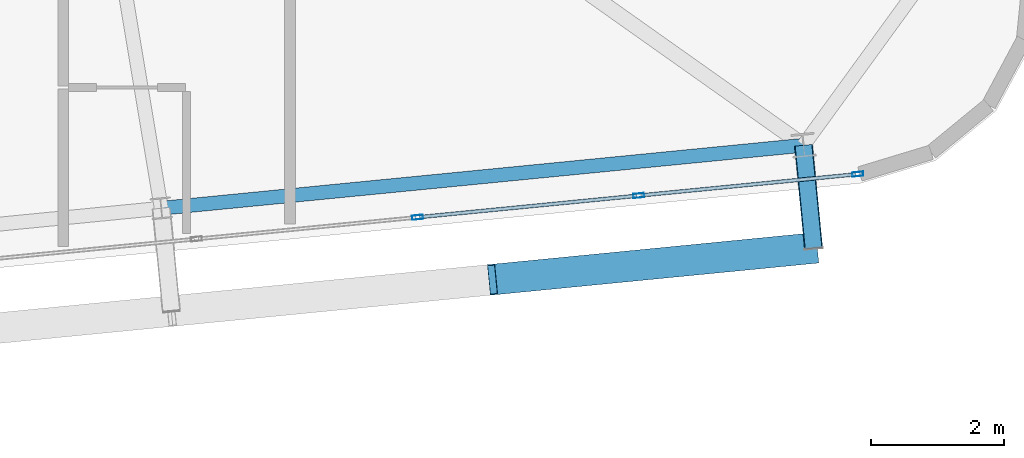
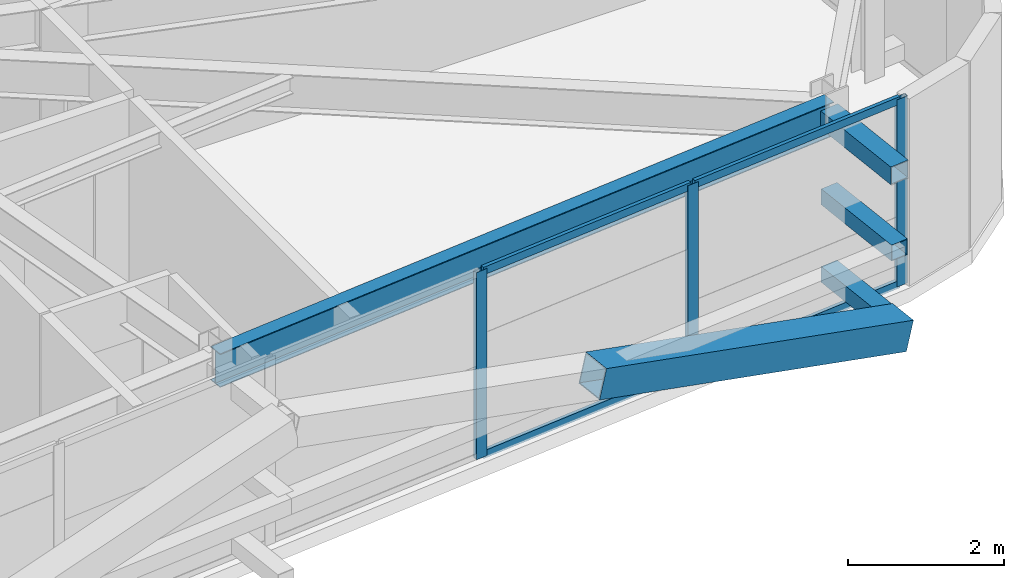
# One storey, part 20 of 53: 11 members, 1 beam, 1 element without a shape of its own.
"""IFC4 building model written with IfcOpenShell, lengths in metres."""

from ifc_helpers import new_model, si_unit, direction, frame, origin, origin_2d, place, context, subcontext, project, spatial, hollow_rectangle, i_section, extrude, source, transform, mapped, material, layer, layer_set, material_profile, profile_set, type_object, element, aggregate, save


model = new_model("IFC4")

# Units and contexts
model_context = context("Model", 3, precision=1e-05, world=origin(), true_north=direction((0.0, 1.0)))
body_context = subcontext(model_context, "Body", "Model", "MODEL_VIEW")
ifc_project = project(units=[si_unit("LENGTHUNIT", "METRE"), si_unit("AREAUNIT", "SQUARE_METRE"), si_unit("VOLUMEUNIT", "CUBIC_METRE"), si_unit("PLANEANGLEUNIT", "RADIAN"), si_unit("MASSUNIT", "GRAM", prefix="KILO")], contexts=[model_context])

# Site, building, storey
site_placement = place(None, origin())
site = spatial("IfcSite", under=ifc_project, at=site_placement, CompositionType="ELEMENT")
building_placement = place(site_placement, origin())
building = spatial("IfcBuilding", under=site, at=building_placement, Name="Taldren Reach Tower", CompositionType="ELEMENT")
storey_placement = place(building_placement, frame((0.0, 0.0, 71.39990234375)))
storey = spatial("IfcBuildingStorey", under=building, at=storey_placement, Name="L21", CompositionType="ELEMENT", Elevation=71.39990234375)

# Members
ifc_material_1 = material(Name="Steel Gr 450 (C450L0)", Category="steel")
ifc_material_profile_1 = material_profile(ifc_material_1, hollow_rectangle(XDim=0.27490234375, YDim=0.27490234375, WallThickness=0.00927734375, at=origin_2d()), Name="275x275x9.3SHS")
ifc_profile_set_1 = profile_set([ifc_material_profile_1], Name="Steel Gr 450 (C450L0)")
member_type_1 = type_object("IfcMemberType", Name="MB-TIE273", PredefinedType="STRUT", material=ifc_profile_set_1)
shared_shape_1 = source(origin(), body_context, "Body", "SweptSolid", [
    extrude(hollow_rectangle(XDim=0.27490234375, YDim=0.27490234375, WallThickness=0.00927734375, at=origin_2d()), origin(), (0.0, 0.0, 1.0), 1.5498046875),
])
member_1_placement = place(storey_placement, frame((63.103271484375, 4.64306640625, 2.650146484375), z_axis=(0.097507178627, -0.995234821595, 0.0), x_axis=(0.995234821595, 0.097507178627, 0.0)))
element("IfcMember", 1, at=member_1_placement, inside=storey, type_object=member_type_1, Name="Exoskeleton diaphragm tie strut B2-S6 L21", PredefinedType="STRUT", context=body_context, shape_type="MappedRepresentation", body=[
    mapped(shared_shape_1, transform((0.0, 0.0, 0.0), scale=1.0)),
])
ifc_material_2 = material(Name="Steel Gr 350 (C350L0)", Category="steel")
ifc_material_profile_2 = material_profile(ifc_material_2, hollow_rectangle(XDim=0.25, YDim=0.25, WallThickness=0.010009765625, at=origin_2d()), Name="250x250x10.0SHS")
ifc_profile_set_2 = profile_set([ifc_material_profile_2], Name="Steel Gr 350 (C350L0)")
member_type_2 = type_object("IfcMemberType", Name="MB-POST250", PredefinedType="POST", material=ifc_profile_set_2)
shared_shape_2 = source(origin(), body_context, "Body", "SweptSolid", [
    extrude(hollow_rectangle(XDim=0.25, YDim=0.25, WallThickness=0.010009765625, at=origin_2d()), origin(), (0.0, 0.0, 1.0), 1.5498046875),
])
for number, where, z_axis, x_axis, name in (
    (2, (63.103271484375, 4.64306640625, 0.22021484375), (0.097507178627, -0.995234821595, 0.0), (0.995234821595, 0.097507178627, 0.0), "Exoskeleton base diaphragm tie strut B2-S6 L21"),
    (3, (63.103271484375, 4.64306640625, 1.43505859375), (0.097507178627, -0.995234821595, 0.0), (0.995234821595, 0.097507178627, 0.0), "Exoskeleton mid-tier diaphragm tie B2-S6 L21"),
):
    element("IfcMember", number, at=place(storey_placement, frame(where, z_axis=z_axis, x_axis=x_axis)), inside=storey, type_object=member_type_2, Name=name, PredefinedType="POST", context=body_context, shape_type="MappedRepresentation", body=[
        mapped(shared_shape_2, transform((0.0, 0.0, 0.0), scale=1.0)),
    ])

# Beam
ifc_material_3 = material(Name="Steel Gr 350 (350PLUS)", Category="steel")
ifc_material_profile_3 = material_profile(ifc_material_3, i_section(OverallWidth=0.208984375, OverallDepth=0.528076171875, WebThickness=0.009521484375, FlangeThickness=0.01318359375, at=origin_2d()), Name="530UB82.0")
ifc_profile_set_3 = profile_set([ifc_material_profile_3], Name="Steel Gr 350 (350PLUS)")
beam_type = type_object("IfcBeamType", Name="SP-UB530B", PredefinedType="SPANDREL", material=ifc_profile_set_3)
shared_shape_3 = source(origin(), body_context, "Body", "SweptSolid", [
    extrude(i_section(OverallWidth=0.208984375, OverallDepth=0.528076171875, WebThickness=0.009521484375, FlangeThickness=0.01318359375, at=origin_2d()), origin(), (0.0, 0.0, 1.0), 9.679931640625),
])
beam_placement = place(storey_placement, frame((53.469482421875, 3.698486328125, 2.666015625), z_axis=(0.995227612658, 0.097580730699, 0.0), x_axis=(-0.097580730699, 0.995227612658, 0.0)))
element("IfcBeam", 4, at=beam_placement, inside=storey, type_object=beam_type, Name="Perimeter spandrel B2 S5-S6 L21", PredefinedType="SPANDREL", context=body_context, shape_type="MappedRepresentation", body=[
    mapped(shared_shape_3, transform((0.0, 0.0, 0.0), scale=1.0)),
])

# Member
ifc_material_profile_4 = material_profile(ifc_material_1, hollow_rectangle(XDim=0.4599609375, YDim=0.4599609375, WallThickness=0.01611328125, at=origin_2d()), Name="460x460x16.0SHS")
ifc_profile_set_4 = profile_set([ifc_material_profile_4], Name="Steel Gr 450 (C450L0)")
member_type_3 = type_object("IfcMemberType", Name="MB-EXO457", PredefinedType="BRACE", material=ifc_profile_set_4)
shared_shape_4 = source(origin(), body_context, "Body", "SweptSolid", [
    extrude(hollow_rectangle(XDim=0.4599609375, YDim=0.4599609375, WallThickness=0.01611328125, at=origin_2d()), origin(), (0.0, 0.0, 1.0), 4.990234375),
])
member_2_placement = place(storey_placement, frame((63.25439453125, 3.1005859375, 0.22021484375), z_axis=(-0.965282554799, -0.094669120301, 0.243448859234), x_axis=(0.097605711627, -0.995225162995, 0.0)))
element("IfcMember", 5, at=member_2_placement, inside=storey, type_object=member_type_3, Name="Exoskeleton Diagrid Brace B2-S5 L21", PredefinedType="BRACE", context=body_context, shape_type="MappedRepresentation", body=[
    mapped(shared_shape_4, transform((0.0, 0.0, 0.0), scale=1.0)),
])

# Curtain wall, members
ifc_material_4 = material(Name="Aluminium and Low-E Glass Unitised System", Category="aluminium")
ifc_layer = layer(ifc_material_4, 0.159912109375)
ifc_layer_set = layer_set([ifc_layer], Name="Aluminium and Low-E Glass Unitised System")
curtain_wall_type = type_object("IfcCurtainWallType", Name="CW-SYS-3", PredefinedType="NOTDEFINED", material=ifc_layer_set)
curtain_wall_placement = place(storey_placement, origin())
curtain_wall = element("IfcCurtainWall", 6, at=curtain_wall_placement, inside=storey, type_object=curtain_wall_type, Name="Unitised curtain wall CW-L21-S", PredefinedType="NOTDEFINED")
ifc_material_5 = material(Name="Anodised Aluminium 6063-T6", Category="aluminium")
ifc_material_profile_5 = material_profile(ifc_material_5, hollow_rectangle(XDim=0.06494140625, YDim=0.1650390625, WallThickness=0.00390625, at=origin_2d()), Name="ALU-165x65x4RHS")
ifc_profile_set_5 = profile_set([ifc_material_profile_5], Name="Anodised Aluminium 6063-T6")
member_type_4 = type_object("IfcMemberType", Name="CW-MUL-165", PredefinedType="MULLION", material=ifc_profile_set_5)
shared_shape_5 = source(origin(), body_context, "Body", "SweptSolid", [
    extrude(hollow_rectangle(XDim=0.06494140625, YDim=0.1650390625, WallThickness=0.00390625, at=origin_2d()), origin(), (0.0, 0.0, 1.0), 2.93017578125),
])
member_3_placement = place(storey_placement, frame((57.314208984375, 3.56298828125, 0.0), z_axis=(0.0, 0.0, 1.0), x_axis=(-0.097582999046, 0.995227390247, 0.0)))
member_3 = element("IfcMember", 7, at=member_3_placement, type_object=member_type_4, Name="CW-3 mullion 14", PredefinedType="MULLION", context=body_context, shape_type="MappedRepresentation", body=[
    mapped(shared_shape_5, transform((0.0, 0.0, 0.0), scale=1.0)),
])
member_4_placement = place(storey_placement, frame((60.631591796875, 3.888427734375, 0.0), z_axis=(0.0, 0.0, 1.0), x_axis=(-0.097582999046, 0.995227390247, 0.0)))
member_4 = element("IfcMember", 8, at=member_4_placement, type_object=member_type_4, Name="CW-3 mullion 15", PredefinedType="MULLION", context=body_context, shape_type="MappedRepresentation", body=[
    mapped(shared_shape_5, transform((0.0, 0.0, 0.0), scale=1.0)),
])
member_5_placement = place(storey_placement, frame((63.916748046875, 4.21044921875, 0.0), z_axis=(0.0, 0.0, 1.0), x_axis=(-0.097582999046, 0.995227390247, 0.0)))
member_5 = element("IfcMember", 9, at=member_5_placement, type_object=member_type_4, Name="CW-3 mullion 16", PredefinedType="MULLION", context=body_context, shape_type="MappedRepresentation", body=[
    mapped(shared_shape_5, transform((0.0, 0.0, 0.0), scale=1.0)),
])
ifc_material_profile_6 = material_profile(ifc_material_5, hollow_rectangle(XDim=0.054931640625, YDim=0.1201171875, WallThickness=0.0029296875, at=origin_2d()), Name="ALU-120x55x3RHS")
ifc_profile_set_6 = profile_set([ifc_material_profile_6], Name="Anodised Aluminium 6063-T6")
member_type_5 = type_object("IfcMemberType", Name="CW-TRN-135", PredefinedType="USERDEFINED", material=ifc_profile_set_6)
shared_shape_6 = source(origin(), body_context, "Body", "SweptSolid", [
    extrude(hollow_rectangle(XDim=0.054931640625, YDim=0.1201171875, WallThickness=0.0029296875, at=origin_2d()), origin(), (0.0, 0.0, 1.0), 3.23583984375),
])
member_6_placement = place(storey_placement, frame((60.6640625, 3.8916015625, 0.027587890625), z_axis=(0.995230248826, 0.097553840629, 0.0), x_axis=(-0.097553840629, 0.995230248826, 0.0)))
member_6 = element("IfcMember", 10, at=member_6_placement, type_object=member_type_5, Name="CW-3 transom 15.1", ObjectType="TRANSOM", PredefinedType="USERDEFINED", context=body_context, shape_type="MappedRepresentation", body=[
    mapped(shared_shape_6, transform((0.0, 0.0, 0.0), scale=1.0)),
])
member_7_placement = place(storey_placement, frame((60.6640625, 3.8916015625, 2.902587890625), z_axis=(0.995230248826, 0.097553840629, 0.0), x_axis=(-0.097553840629, 0.995230248826, 0.0)))
member_7 = element("IfcMember", 11, at=member_7_placement, type_object=member_type_5, Name="CW-3 transom 15.2", ObjectType="TRANSOM", PredefinedType="USERDEFINED", context=body_context, shape_type="MappedRepresentation", body=[
    mapped(shared_shape_6, transform((0.0, 0.0, 0.0), scale=1.0)),
])
shared_shape_7 = source(origin(), body_context, "Body", "SweptSolid", [
    extrude(hollow_rectangle(XDim=0.054931640625, YDim=0.1201171875, WallThickness=0.0029296875, at=origin_2d()), origin(), (0.0, 0.0, 1.0), 3.268310546875),
])
member_8_placement = place(storey_placement, frame((57.3466796875, 3.566162109375, 0.027587890625), z_axis=(0.995222549564, 0.097632355496, 0.0), x_axis=(-0.097632355496, 0.995222549564, 0.0)))
member_8 = element("IfcMember", 12, at=member_8_placement, type_object=member_type_5, Name="CW-3 transom 14.1", ObjectType="TRANSOM", PredefinedType="USERDEFINED", context=body_context, shape_type="MappedRepresentation", body=[
    mapped(shared_shape_7, transform((0.0, 0.0, 0.0), scale=1.0)),
])
member_9_placement = place(storey_placement, frame((57.3466796875, 3.566162109375, 2.902587890625), z_axis=(0.995222549564, 0.097632355496, 0.0), x_axis=(-0.097632355496, 0.995222549564, 0.0)))
member_9 = element("IfcMember", 13, at=member_9_placement, type_object=member_type_5, Name="CW-3 transom 14.2", ObjectType="TRANSOM", PredefinedType="USERDEFINED", context=body_context, shape_type="MappedRepresentation", body=[
    mapped(shared_shape_7, transform((0.0, 0.0, 0.0), scale=1.0)),
])
aggregate(curtain_wall, [member_3, member_4, member_5, member_8, member_9, member_6, member_7])

save(model, "model.ifc")
